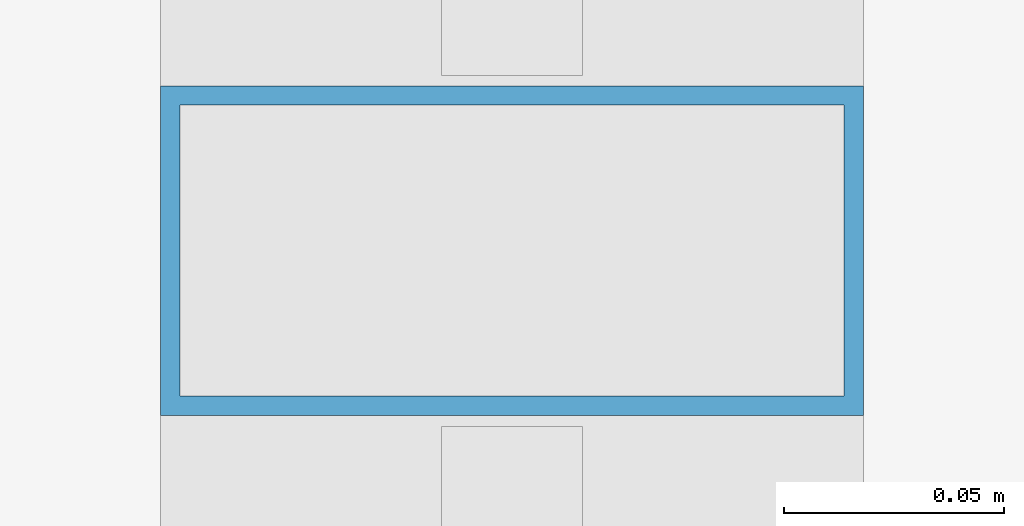
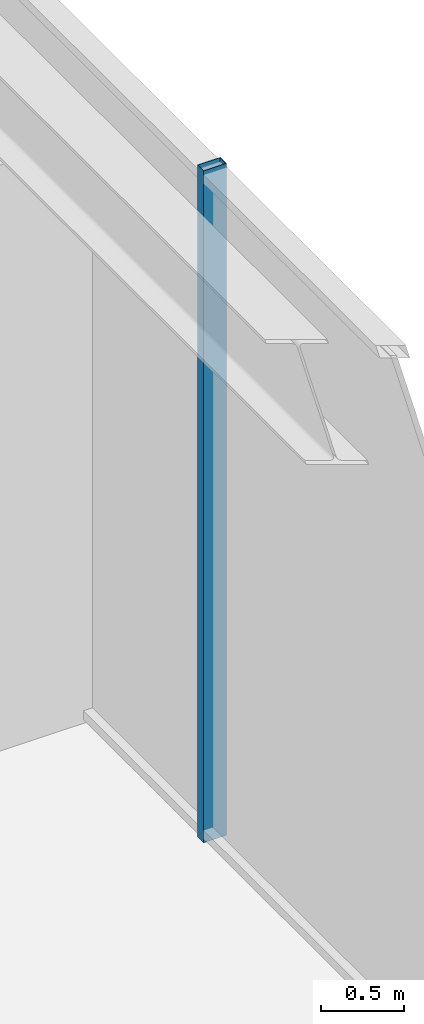
# One storey, part 24 of 49: 1 member, 1 element without a shape of its own.
"""IFC4 building model written with IfcOpenShell, lengths in metres."""

from ifc_helpers import new_model, si_unit, direction, frame, origin, origin_2d, place, context, subcontext, project, spatial, hollow_rectangle, extrude, material, material_profile, profile_set, type_object, element, aggregate, save


model = new_model("IFC4")

# Units and contexts
model_context = context("Model", 3, precision=1e-05, world=origin(), true_north=direction((0.0, 1.0)))
body_context = subcontext(model_context, "Body", "Model", "MODEL_VIEW")
ifc_project = project(units=[si_unit("LENGTHUNIT", "METRE"), si_unit("AREAUNIT", "SQUARE_METRE"), si_unit("VOLUMEUNIT", "CUBIC_METRE"), si_unit("PLANEANGLEUNIT", "RADIAN"), si_unit("MASSUNIT", "GRAM", prefix="KILO")], contexts=[model_context])

# Site, building, storey
site_placement = place(None, origin())
site = spatial("IfcSite", under=ifc_project, at=site_placement, CompositionType="ELEMENT")
building_placement = place(site_placement, origin())
building = spatial("IfcBuilding", under=site, at=building_placement, Name="Kolvaren Belvedere", CompositionType="ELEMENT")
storey_placement = place(building_placement, frame((0.0, 0.0, 10.0)))
storey = spatial("IfcBuildingStorey", under=building, at=storey_placement, Name="L03", CompositionType="ELEMENT", Elevation=10.0)

# Curtain wall, member
ifc_material_1 = material(Name="Anodised pale-metal aluminium AA 6063-T6", Category="aluminium")
curtain_wall_type = type_object("IfcCurtainWallType", Name="CW-POD-A", PredefinedType="NOTDEFINED", material=ifc_material_1)
curtain_wall_placement = place(storey_placement, origin())
curtain_wall = element("IfcCurtainWall", 1, at=curtain_wall_placement, inside=storey, type_object=curtain_wall_type, Name="L03 Unitised Curtain Wall FCW-L03-SEG6", PredefinedType="NOTDEFINED")
ifc_material_2 = material(Name="Anodised pale-metal aluminium AA 6063-T6", Category="aluminium")
ifc_material_profile = material_profile(ifc_material_2, hollow_rectangle(XDim=0.074951171875, YDim=0.159912109375, WallThickness=0.00439453125, at=origin_2d()), Name="ALU-MUL-160X75")
ifc_profile_set = profile_set([ifc_material_profile], Name="Anodised pale-metal aluminium AA 6063-T6")
member_type = type_object("IfcMemberType", Name="CW-MUL-160", PredefinedType="MULLION", material=ifc_profile_set)
member_placement = place(storey_placement, frame((27.8798828125, -14.199951171875, 0.0), z_axis=(0.0, 0.0, 1.0), x_axis=(0.0, 1.0, 0.0)))
member = element("IfcMember", 2, at=member_placement, type_object=member_type, Name="FCW-L03-SEG6 Unitised Mullion 4", PredefinedType="MULLION", context=body_context, shape_type="SweptSolid", body=[
    extrude(hollow_rectangle(XDim=0.074951171875, YDim=0.159912109375, WallThickness=0.00439453125, at=origin_2d()), origin(), (0.0, 0.0, 1.0), 4.919921875),
])
aggregate(curtain_wall, [member])

save(model, "model.ifc")
